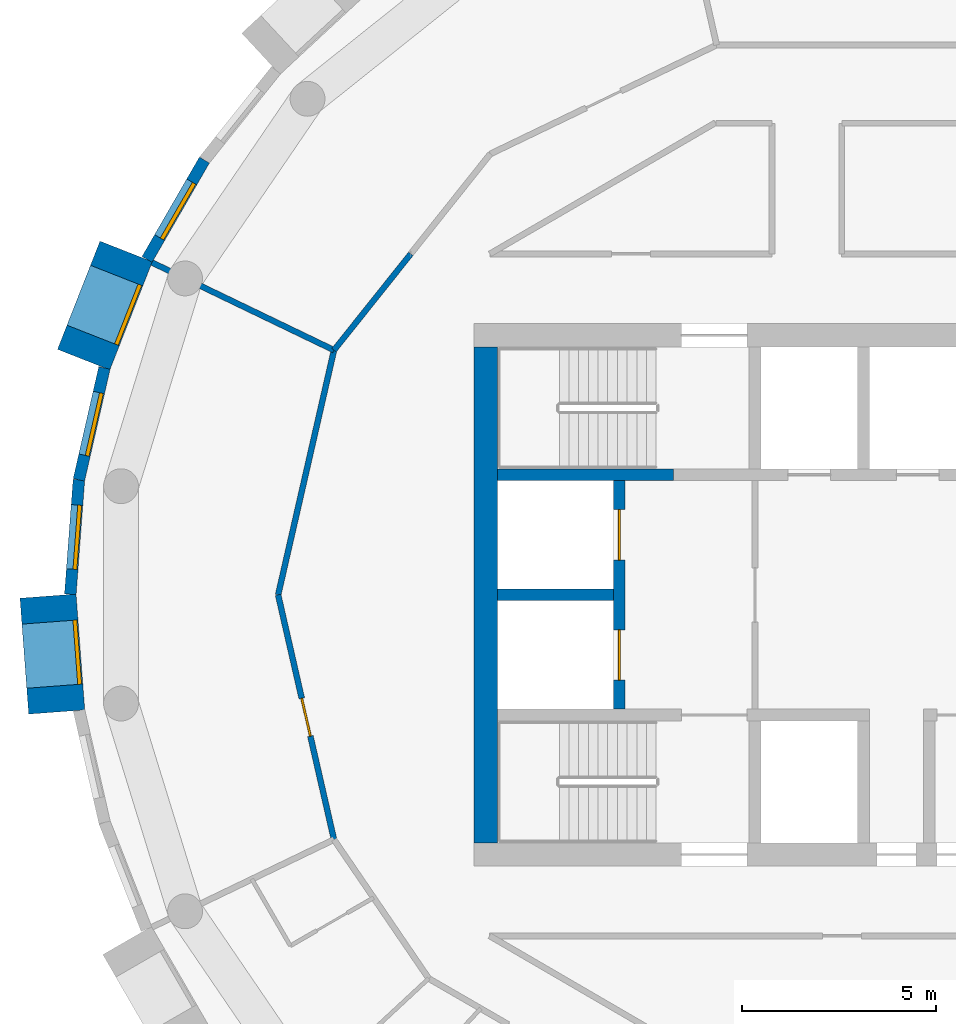
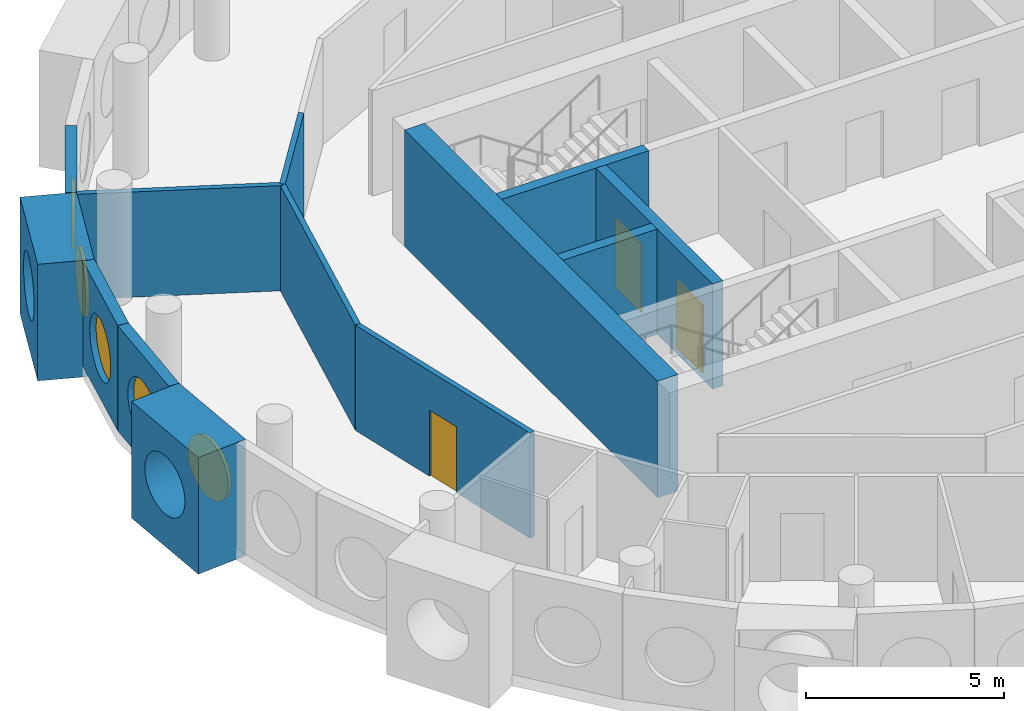
# One storey, part 5 of 12: 13 walls, 5 windows, 3 doors, 8 openings.
"""IFC4 building model written with IfcOpenShell, lengths in metres."""

from ifc_helpers import new_model, si_unit, direction, frame, frame_2d, origin, origin_2d, place, context, subcontext, project, spatial, rectangle, circle, extrude, material, layer, layer_set, type_object, element, fill, save


model = new_model("IFC4")

# Units and contexts
model_context = context("Model", 3, precision=1e-05, world=origin(), true_north=direction((0.0, 1.0)))
body_context = subcontext(model_context, "Body", "Model", "MODEL_VIEW")
ifc_project = project(units=[si_unit("LENGTHUNIT", "METRE"), si_unit("AREAUNIT", "SQUARE_METRE"), si_unit("VOLUMEUNIT", "CUBIC_METRE"), si_unit("PLANEANGLEUNIT", "RADIAN"), si_unit("MASSUNIT", "GRAM", prefix="KILO")], contexts=[model_context])

# Site, building, storey
site_placement = place(None, origin())
site = spatial("IfcSite", under=ifc_project, at=site_placement, CompositionType="ELEMENT")
building_placement = place(site_placement, origin())
building = spatial("IfcBuilding", under=site, at=building_placement, Name="Tracery Tower", CompositionType="ELEMENT")
storey_placement = place(building_placement, frame((0.0, 0.0, 323.39990234375)))
storey = spatial("IfcBuildingStorey", under=building, at=storey_placement, Name="L84", CompositionType="ELEMENT", Elevation=323.39990234375)

# Wall
ifc_material_1 = material(Name="Concrete C40/50", Category="concrete")
ifc_layer_1 = layer(ifc_material_1, 0.60009765625)
ifc_layer_set_1 = layer_set([ifc_layer_1], Name="Core wall 600 C40")
wall_type_1 = type_object("IfcWallType", Name="Core wall 600 C40", PredefinedType="SOLIDWALL", material=ifc_layer_set_1)
wall_1_placement = place(storey_placement, frame((-9.199951171875, -6.39990234375, 0.0), z_axis=(0.0, 0.0, 1.0), x_axis=(0.0, 1.0, 0.0)))
element("IfcWall", 1, at=wall_1_placement, inside=storey, type_object=wall_type_1, Name="L84 outer W", PredefinedType="SOLIDWALL", context=body_context, shape_type="SweptSolid", body=[
    extrude(rectangle(XDim=12.7998046875, YDim=0.60009765625, at=frame_2d((6.39990234375, 0.0))), origin(), (0.0, 0.0, 1.0), 3.60009765625),
])

# Wall, opening, window
ifc_material_2 = material(Name="Precast concrete C50/60", Category="concrete")
ifc_layer_2 = layer(ifc_material_2, 1.449951171875)
ifc_layer_set_2 = layer_set([ifc_layer_2], Name="Deep-set bay unit 3000 x 3600, slab edge 350")
wall_type_2 = type_object("IfcWallType", Name="Deep-set bay unit 3000 x 3600, slab edge 350", PredefinedType="ELEMENTEDWALL", material=ifc_layer_set_2)
wall_2_placement = place(storey_placement, frame((-18.47998046875, 8.8642578125, -0.349853515625), z_axis=(0.0, 0.0, 1.0), x_axis=(-0.36537792632, -0.93085926485, 0.0)))
wall_2 = element("IfcWall", 2, at=wall_2_placement, inside=storey, type_object=wall_type_2, Name="Deep-set bay unit 19 at L84", PredefinedType="ELEMENTEDWALL", context=body_context, shape_type="SweptSolid", body=[
    extrude(rectangle(XDim=3.000244140625, YDim=1.449951171875, at=frame_2d((1.5, 0.0))), origin(), (0.0, 0.0, 1.0), 3.599853515625),
])
opening_1_placement = place(wall_2_placement, frame((1.5, 0.0, 1.89990234375)))
opening_1 = element("IfcOpeningElement", 3, at=opening_1_placement, cuts=wall_2, Name="Opening WN1", PredefinedType="OPENING", context=body_context, shape_type="SweptSolid", body=[
    extrude(circle(Radius=0.9000244140625, at=origin_2d()), frame((0.0, 0.73486328125, 0.0), z_axis=(0.0, -1.0, 0.0), x_axis=(1.0, 0.0, 0.0)), (0.0, 0.0, 1.0), 1.469970703125),
])
ifc_material_3 = material(Name="Aluminium frame with tinted double glazing", Category="aluminium")
window_type = type_object("IfcWindowType", Name="Round window 1800", PartitioningType="SINGLE_PANEL", PredefinedType="WINDOW", material=ifc_material_3)
window_1_placement = place(opening_1_placement, origin())
window_1 = element("IfcWindow", 4, at=window_1_placement, inside=storey, type_object=window_type, Name="Round window 19 at L84", OverallHeight=1.800048828125, OverallWidth=1.800048828125, PartitioningType="SINGLE_PANEL", PredefinedType="WINDOW", context=body_context, shape_type="SweptSolid", body=[
    extrude(circle(Radius=0.9000244140625, at=origin_2d()), frame((0.0, 0.69482421875, 0.0), z_axis=(0.0, -1.0, 0.0), x_axis=(1.0, 0.0, 0.0)), (0.0, 0.0, 1.0), 0.10009765625),
])
fill(opening_1, window_1)

wall_3_placement = place(storey_placement, frame((-20.49609375, -0.03173828125, -0.349853515625), z_axis=(0.0, 0.0, 1.0), x_axis=(0.074785902127, -0.997199613339, 0.0)))
wall_3 = element("IfcWall", 5, at=wall_3_placement, inside=storey, type_object=wall_type_2, Name="Deep-set bay unit 22 at L84", PredefinedType="ELEMENTEDWALL", context=body_context, shape_type="SweptSolid", body=[
    extrude(rectangle(XDim=3.0, YDim=1.449951171875, at=frame_2d((1.5, 0.0))), origin(), (0.0, 0.0, 1.0), 3.599853515625),
])
opening_2_placement = place(wall_3_placement, frame((1.5, 0.0, 1.89990234375)))
opening_2 = element("IfcOpeningElement", 6, at=opening_2_placement, cuts=wall_3, Name="Opening WN1", PredefinedType="OPENING", context=body_context, shape_type="SweptSolid", body=[
    extrude(circle(Radius=0.9000244140625, at=origin_2d()), frame((0.0, 0.73486328125, 0.0), z_axis=(0.0, -1.0, 0.0), x_axis=(1.0, 0.0, 0.0)), (0.0, 0.0, 1.0), 1.469970703125),
])
window_2_placement = place(opening_2_placement, origin())
window_2 = element("IfcWindow", 7, at=window_2_placement, inside=storey, type_object=window_type, Name="Round window 22 at L84", OverallHeight=1.800048828125, OverallWidth=1.800048828125, PartitioningType="SINGLE_PANEL", PredefinedType="WINDOW", context=body_context, shape_type="SweptSolid", body=[
    extrude(circle(Radius=0.9000244140625, at=origin_2d()), frame((0.0, 0.69482421875, 0.0), z_axis=(0.0, -1.0, 0.0), x_axis=(1.0, 0.0, 0.0)), (0.0, 0.0, 1.0), 0.10009765625),
])
fill(opening_2, window_2)

ifc_material_4 = material(Name="Precast concrete C50/60", Category="concrete")
ifc_layer_3 = layer(ifc_material_4, 0.300048828125)
ifc_layer_set_3 = layer_set([ifc_layer_3], Name="Facade panel 3000 x 3250")
wall_type_3 = type_object("IfcWallType", Name="Facade panel 3000 x 3250", PredefinedType="SOLIDWALL", material=ifc_layer_set_3)
wall_4_placement = place(storey_placement, frame((-16.460205078125, 11.222412109375, 0.0), z_axis=(0.0, 0.0, 1.0), x_axis=(-0.499950756475, -0.86605383268, 0.0)))
wall_4 = element("IfcWall", 8, at=wall_4_placement, inside=storey, type_object=wall_type_3, Name="Facade panel 18 at L84", PredefinedType="SOLIDWALL", context=body_context, shape_type="SweptSolid", body=[
    extrude(rectangle(XDim=2.962158203125, YDim=0.300048828125, at=frame_2d((1.48095703125, 0.0))), origin(), (0.0, 0.0, 1.0), 3.25),
])
opening_3_placement = place(wall_4_placement, frame((1.48095703125, 0.0, 1.5498046875)))
opening_3 = element("IfcOpeningElement", 9, at=opening_3_placement, cuts=wall_4, Name="Opening WN1", PredefinedType="OPENING", context=body_context, shape_type="SweptSolid", body=[
    extrude(circle(Radius=0.9000244140625, at=origin_2d()), frame((0.0, 0.159912109375, 0.0), z_axis=(0.0, -1.0, 0.0), x_axis=(1.0, 0.0, 0.0)), (0.0, 0.0, 1.0), 0.320068359375),
])
window_3_placement = place(opening_3_placement, origin())
window_3 = element("IfcWindow", 10, at=window_3_placement, inside=storey, type_object=window_type, Name="Round window 18 at L84", OverallHeight=1.800048828125, OverallWidth=1.800048828125, PartitioningType="SINGLE_PANEL", PredefinedType="WINDOW", context=body_context, shape_type="SweptSolid", body=[
    extrude(circle(Radius=0.9000244140625, at=origin_2d()), frame((0.0, 0.1201171875, 0.0), z_axis=(0.0, -1.0, 0.0), x_axis=(1.0, 0.0, 0.0)), (0.0, 0.0, 1.0), 0.10009765625),
])
fill(opening_3, window_3)

wall_5_placement = place(storey_placement, frame((-19.0400390625, 5.857177734375, 0.0), z_axis=(0.0, 0.0, 1.0), x_axis=(-0.222529389789, -0.974925982155, 0.0)))
wall_5 = element("IfcWall", 11, at=wall_5_placement, inside=storey, type_object=wall_type_3, Name="Facade panel 20 at L84", PredefinedType="SOLIDWALL", context=body_context, shape_type="SweptSolid", body=[
    extrude(rectangle(XDim=2.962158203125, YDim=0.300048828125, at=frame_2d((1.48095703125, 0.0))), origin(), (0.0, 0.0, 1.0), 3.25),
])
opening_4_placement = place(wall_5_placement, frame((1.48095703125, 0.0, 1.5498046875)))
opening_4 = element("IfcOpeningElement", 12, at=opening_4_placement, cuts=wall_5, Name="Opening WN1", PredefinedType="OPENING", context=body_context, shape_type="SweptSolid", body=[
    extrude(circle(Radius=0.9000244140625, at=origin_2d()), frame((0.0, 0.159912109375, 0.0), z_axis=(0.0, -1.0, 0.0), x_axis=(1.0, 0.0, 0.0)), (0.0, 0.0, 1.0), 0.320068359375),
])
window_4_placement = place(opening_4_placement, origin())
window_4 = element("IfcWindow", 13, at=window_4_placement, inside=storey, type_object=window_type, Name="Round window 20 at L84", OverallHeight=1.800048828125, OverallWidth=1.800048828125, PartitioningType="SINGLE_PANEL", PredefinedType="WINDOW", context=body_context, shape_type="SweptSolid", body=[
    extrude(circle(Radius=0.9000244140625, at=origin_2d()), frame((0.0, 0.1201171875, 0.0), z_axis=(0.0, -1.0, 0.0), x_axis=(1.0, 0.0, 0.0)), (0.0, 0.0, 1.0), 0.10009765625),
])
fill(opening_4, window_4)

wall_6_placement = place(storey_placement, frame((-19.69921875, 2.96923828125, 0.0), z_axis=(0.0, 0.0, 1.0), x_axis=(-0.07474897196, -0.997202382263, 0.0)))
wall_6 = element("IfcWall", 14, at=wall_6_placement, inside=storey, type_object=wall_type_3, Name="Facade panel 21 at L84", PredefinedType="SOLIDWALL", context=body_context, shape_type="SweptSolid", body=[
    extrude(rectangle(XDim=2.96240234375, YDim=0.300048828125, at=frame_2d((1.481201171875, 0.0))), origin(), (0.0, 0.0, 1.0), 3.25),
])
opening_5_placement = place(wall_6_placement, frame((1.48095703125, 0.0, 1.5498046875)))
opening_5 = element("IfcOpeningElement", 15, at=opening_5_placement, cuts=wall_6, Name="Opening WN1", PredefinedType="OPENING", context=body_context, shape_type="SweptSolid", body=[
    extrude(circle(Radius=0.9000244140625, at=origin_2d()), frame((0.0, 0.159912109375, 0.0), z_axis=(0.0, -1.0, 0.0), x_axis=(1.0, 0.0, 0.0)), (0.0, 0.0, 1.0), 0.320068359375),
])
window_5_placement = place(opening_5_placement, origin())
window_5 = element("IfcWindow", 16, at=window_5_placement, inside=storey, type_object=window_type, Name="Round window 21 at L84", OverallHeight=1.800048828125, OverallWidth=1.800048828125, PartitioningType="SINGLE_PANEL", PredefinedType="WINDOW", context=body_context, shape_type="SweptSolid", body=[
    extrude(circle(Radius=0.9000244140625, at=origin_2d()), frame((0.0, 0.1201171875, 0.0), z_axis=(0.0, -1.0, 0.0), x_axis=(1.0, 0.0, 0.0)), (0.0, 0.0, 1.0), 0.10009765625),
])
fill(opening_5, window_5)

# Walls
ifc_material_5 = material(Name="Plasterboard on steel studs", Category="steel")
ifc_layer_4 = layer(ifc_material_5, 0.14990234375)
ifc_layer_set_4 = layer_set([ifc_layer_4], Name="Partition 150 acoustic unit wall")
wall_type_4 = type_object("IfcWallType", Name="Partition 150 acoustic unit wall", PredefinedType="PARTITIONING", material=ifc_layer_set_4)
wall_7_placement = place(storey_placement, frame((-17.81298828125, 8.577880859375, 0.0), z_axis=(0.0, 0.0, 1.0), x_axis=(0.901004381064, -0.433809987557, 0.0)))
element("IfcWall", 17, at=wall_7_placement, inside=storey, type_object=wall_type_4, Name="Unit wall RC10-042", PredefinedType="PARTITIONING", context=body_context, shape_type="SweptSolid", body=[
    extrude(rectangle(XDim=5.214111328125, YDim=0.14990234375, at=frame_2d((2.60693359375, 0.0))), origin(), (0.0, 0.0, 1.0), 3.25),
])
ifc_material_6 = material(Name="Plasterboard on steel studs", Category="steel")
ifc_layer_5 = layer(ifc_material_6, 0.14990234375)
ifc_layer_set_5 = layer_set([ifc_layer_5], Name="Partition 150 corridor wall")
wall_type_5 = type_object("IfcWallType", Name="Partition 150 corridor wall", PredefinedType="PARTITIONING", material=ifc_layer_set_5)
wall_8_placement = place(storey_placement, frame((-13.114990234375, 6.31591796875, 0.0), z_axis=(0.0, 0.0, 1.0), x_axis=(0.623476099415, 0.781842409606, 0.0)))
element("IfcWall", 18, at=wall_8_placement, inside=storey, type_object=wall_type_5, Name="Corridor wall RC10-030", PredefinedType="PARTITIONING", context=body_context, shape_type="SweptSolid", body=[
    extrude(rectangle(XDim=3.17724609375, YDim=0.14990234375, at=frame_2d((1.588623046875, 0.0))), origin(), (0.0, 0.0, 1.0), 3.25),
])

# Wall, opening, door
wall_9_placement = place(storey_placement, frame((-14.556884765625, 0.0, 0.0), z_axis=(0.0, 0.0, 1.0), x_axis=(0.222568978642, -0.97491694505, 0.0)))
wall_9 = element("IfcWall", 19, at=wall_9_placement, inside=storey, type_object=wall_type_5, Name="Corridor wall RC10-031", PredefinedType="PARTITIONING", context=body_context, shape_type="SweptSolid", body=[
    extrude(rectangle(XDim=6.478515625, YDim=0.14990234375, at=frame_2d((3.2392578125, 0.0))), origin(), (0.0, 0.0, 1.0), 3.25),
])
opening_6_placement = place(wall_9_placement, frame((2.739501953125, 0.0, 0.0)))
opening_6 = element("IfcOpeningElement", 20, at=opening_6_placement, cuts=wall_9, Name="Opening RC10-07", PredefinedType="OPENING", context=body_context, shape_type="SweptSolid", body=[
    extrude(rectangle(XDim=1.0, YDim=2.0400390625, at=frame_2d((0.5, 1.02001953125))), frame((0.0, 0.074951171875, 0.0), z_axis=(0.0, -1.0, 0.0), x_axis=(1.0, 0.0, 0.0)), (0.0, 0.0, 1.0), 0.14990234375),
])
ifc_material_7 = material(Name="Timber door leaf", Category="wood")
door_type_1 = type_object("IfcDoorType", Name="Door communal room 1000", OperationType="NOTDEFINED", PredefinedType="DOOR", material=ifc_material_7)
door_1_placement = place(opening_6_placement, origin())
door_1 = element("IfcDoor", 21, at=door_1_placement, inside=storey, type_object=door_type_1, Name="Communal room door RC10-07", OperationType="SINGLE_SWING_LEFT", OverallHeight=2.0400390625, OverallWidth=1.0, PredefinedType="DOOR", context=body_context, shape_type="SweptSolid", body=[
    extrude(rectangle(XDim=1.0, YDim=2.0400390625, at=frame_2d((0.5, 1.02001953125))), frame((0.0, 0.02490234375, 0.0), z_axis=(0.0, -1.0, 0.0), x_axis=(1.0, 0.0, 0.0)), (0.0, 0.0, 1.0), 0.050048828125),
])
fill(opening_6, door_1)

# Walls
wall_10_placement = place(storey_placement, frame((-14.556884765625, 0.0, 0.0), z_axis=(0.0, 0.0, 1.0), x_axis=(0.222568978642, 0.97491694505, 0.0)))
element("IfcWall", 22, at=wall_10_placement, inside=storey, type_object=wall_type_5, Name="Corridor wall RC10-032", PredefinedType="PARTITIONING", context=body_context, shape_type="SweptSolid", body=[
    extrude(rectangle(XDim=6.478515625, YDim=0.14990234375, at=frame_2d((3.2392578125, 0.0))), origin(), (0.0, 0.0, 1.0), 3.25),
])
ifc_material_8 = material(Name="Concrete C40/50", Category="concrete")
ifc_layer_6 = layer(ifc_material_8, 0.300048828125)
ifc_layer_set_6 = layer_set([ifc_layer_6], Name="Shaft wall 300 C40")
wall_type_6 = type_object("IfcWallType", Name="Shaft wall 300 C40", PredefinedType="SOLIDWALL", material=ifc_layer_set_6)
wall_11_placement = place(storey_placement, frame((-8.89990234375, 0.0, 0.0), z_axis=(0.0, 0.0, 1.0), x_axis=(1.0, 0.0, 0.0)))
element("IfcWall", 23, at=wall_11_placement, inside=storey, type_object=wall_type_6, Name="L84 FF split", PredefinedType="SOLIDWALL", context=body_context, shape_type="SweptSolid", body=[
    extrude(rectangle(XDim=3.0, YDim=0.300048828125, at=frame_2d((1.5, 0.0))), origin(), (0.0, 0.0, 1.0), 3.25),
])

# Wall, openings, doors
wall_12_placement = place(storey_placement, frame((-5.75, -2.949951171875, 0.0), z_axis=(0.0, 0.0, 1.0), x_axis=(0.0, 1.0, 0.0)))
wall_12 = element("IfcWall", 24, at=wall_12_placement, inside=storey, type_object=wall_type_6, Name="L84 FF doors", PredefinedType="SOLIDWALL", context=body_context, shape_type="SweptSolid", body=[
    extrude(rectangle(XDim=5.89990234375, YDim=0.300048828125, at=frame_2d((2.949951171875, 0.0))), origin(), (0.0, 0.0, 1.0), 3.25),
])
opening_7_placement = place(wall_12_placement, frame((0.75, 0.0, 0.0)))
opening_7 = element("IfcOpeningElement", 25, at=opening_7_placement, cuts=wall_12, Name="Opening KD54", PredefinedType="OPENING", context=body_context, shape_type="SweptSolid", body=[
    extrude(rectangle(XDim=1.300048828125, YDim=2.10009765625, at=frame_2d((0.64990234375, 1.050048828125))), frame((0.0, 0.14990234375, 0.0), z_axis=(0.0, -1.0, 0.0), x_axis=(1.0, 0.0, 0.0)), (0.0, 0.0, 1.0), 0.300048828125),
])
opening_8_placement = place(wall_12_placement, frame((3.85009765625, 0.0, 0.0)))
opening_8 = element("IfcOpeningElement", 26, at=opening_8_placement, cuts=wall_12, Name="Opening KD55", PredefinedType="OPENING", context=body_context, shape_type="SweptSolid", body=[
    extrude(rectangle(XDim=1.300048828125, YDim=2.10009765625, at=frame_2d((0.64990234375, 1.050048828125))), frame((0.0, 0.14990234375, 0.0), z_axis=(0.0, -1.0, 0.0), x_axis=(1.0, 0.0, 0.0)), (0.0, 0.0, 1.0), 0.300048828125),
])
ifc_material_9 = material(Name="Steel fire door", Category="steel")
door_type_2 = type_object("IfcDoorType", Name="Landing door FF 1300", OperationType="NOTDEFINED", PredefinedType="DOOR", material=ifc_material_9)
door_2_placement = place(opening_7_placement, origin())
door_2 = element("IfcDoor", 27, at=door_2_placement, inside=storey, type_object=door_type_2, Name="Landing door FF1", OperationType="SLIDING_TO_LEFT", OverallHeight=2.10009765625, OverallWidth=1.300048828125, PredefinedType="DOOR", context=body_context, shape_type="SweptSolid", body=[
    extrude(rectangle(XDim=1.300048828125, YDim=2.10009765625, at=frame_2d((0.64990234375, 1.050048828125))), frame((0.0, 0.02490234375, 0.0), z_axis=(0.0, -1.0, 0.0), x_axis=(1.0, 0.0, 0.0)), (0.0, 0.0, 1.0), 0.050048828125),
])
fill(opening_7, door_2)
door_3_placement = place(opening_8_placement, origin())
door_3 = element("IfcDoor", 28, at=door_3_placement, inside=storey, type_object=door_type_2, Name="Landing door FF2", OperationType="SLIDING_TO_RIGHT", OverallHeight=2.10009765625, OverallWidth=1.300048828125, PredefinedType="DOOR", context=body_context, shape_type="SweptSolid", body=[
    extrude(rectangle(XDim=1.300048828125, YDim=2.10009765625, at=frame_2d((0.64990234375, 1.050048828125))), frame((0.0, 0.02490234375, 0.0), z_axis=(0.0, -1.0, 0.0), x_axis=(1.0, 0.0, 0.0)), (0.0, 0.0, 1.0), 0.050048828125),
])
fill(opening_8, door_3)

# Wall
ifc_material_10 = material(Name="Concrete C40/50", Category="concrete")
ifc_layer_7 = layer(ifc_material_10, 0.300048828125)
ifc_layer_set_7 = layer_set([ifc_layer_7], Name="Stair wall 300 C40")
wall_type_7 = type_object("IfcWallType", Name="Stair wall 300 C40", PredefinedType="SOLIDWALL", material=ifc_layer_set_7)
wall_13_placement = place(storey_placement, frame((-8.89990234375, 3.10009765625, 0.0), z_axis=(0.0, 0.0, 1.0), x_axis=(1.0, 0.0, 0.0)))
element("IfcWall", 29, at=wall_13_placement, inside=storey, type_object=wall_type_7, Name="L84 row N W", PredefinedType="SOLIDWALL", context=body_context, shape_type="SweptSolid", body=[
    extrude(rectangle(XDim=4.5498046875, YDim=0.300048828125, at=frame_2d((2.27490234375, 0.0))), origin(), (0.0, 0.0, 1.0), 3.25),
])

save(model, "model.ifc")
